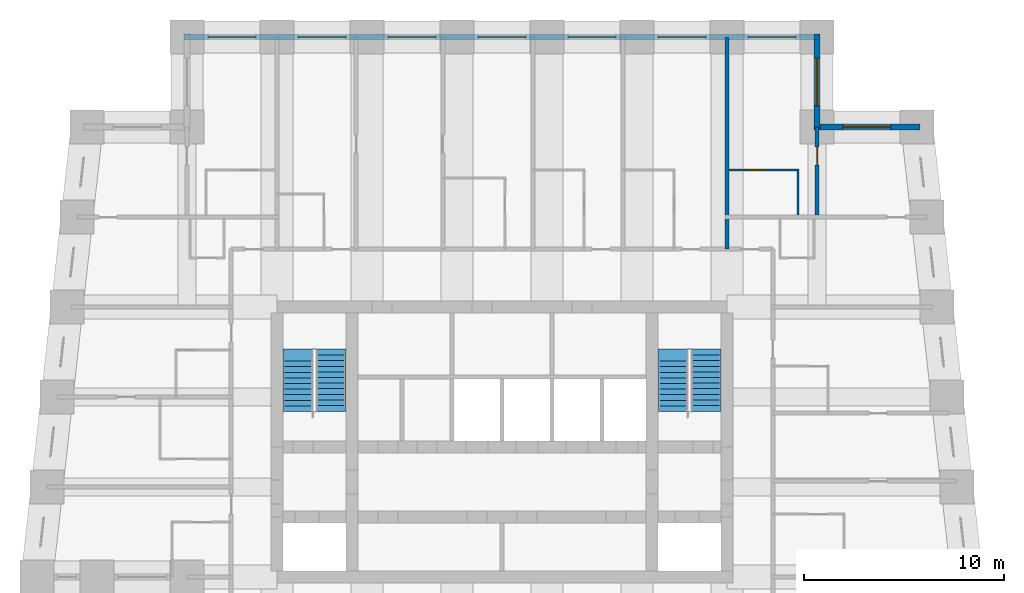
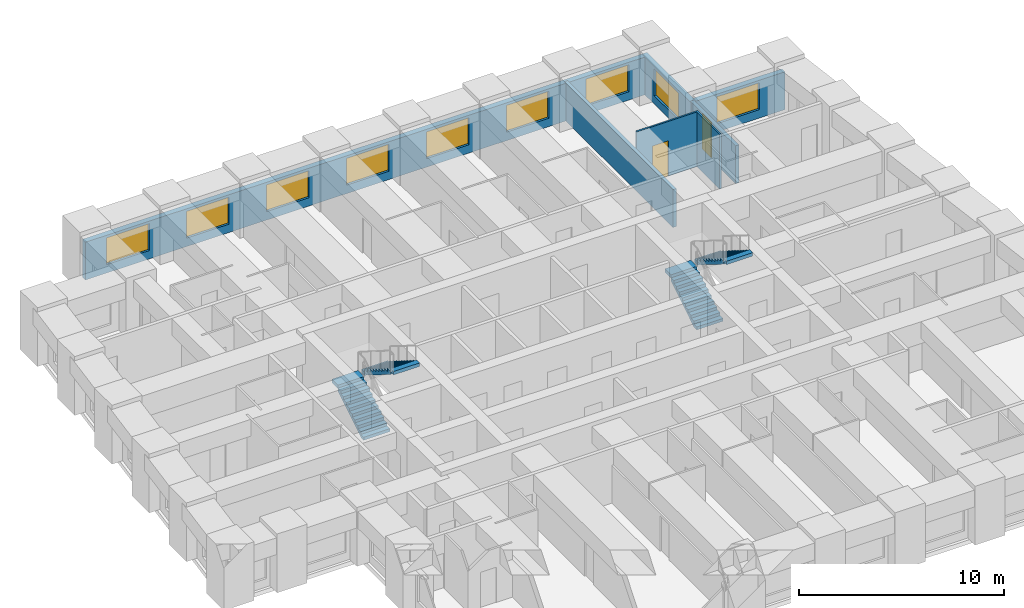
# One storey, part 7 of 8: 9 windows, 7 walls, 4 stair flights, 2 doors, 11 openings, 2 elements without a shape of their own.
"""IFC4 building model written with IfcOpenShell, lengths in metres."""

from ifc_helpers import new_model, si_unit, direction, frame, frame_2d, origin, place, context, subcontext, project, spatial, polyline, rectangle, outline, extrude, material, layer, layer_set, type_object, element, fill, aggregate, save


model = new_model("IFC4")

# Units and contexts
model_context = context("Model", 3, precision=1e-05, world=origin(), true_north=direction((0.0, 1.0)))
body_context = subcontext(model_context, "Body", "Model", "MODEL_VIEW")
ifc_project = project(units=[si_unit("LENGTHUNIT", "METRE"), si_unit("AREAUNIT", "SQUARE_METRE"), si_unit("VOLUMEUNIT", "CUBIC_METRE"), si_unit("PLANEANGLEUNIT", "RADIAN"), si_unit("MASSUNIT", "GRAM", prefix="KILO")], contexts=[model_context])

# Site, building, storey
site_placement = place(None, origin())
site = spatial("IfcSite", under=ifc_project, at=site_placement, CompositionType="ELEMENT")
building_placement = place(site_placement, origin())
building = spatial("IfcBuilding", under=site, at=building_placement, Name="Kilele Tower Hotel", CompositionType="ELEMENT")
storey_placement = place(building_placement, frame((0.0, 0.0, 172.89990234375)))
storey = spatial("IfcBuildingStorey", under=building, at=storey_placement, Name="L44", CompositionType="ELEMENT", Elevation=172.89990234375)

# Wall
ifc_material_1 = material(Name="Moisture-resistant board")
ifc_layer_1 = layer(ifc_material_1, 0.10009765625)
ifc_layer_set_1 = layer_set([ifc_layer_1], Name="Moisture-resistant board")
wall_type_1 = type_object("IfcWallType", Name="Bathroom partition 100", PredefinedType="PLUMBINGWALL", material=ifc_layer_set_1)
wall_1_placement = place(storey_placement, frame((39.550048828125, 31.60009765625, 0.0), z_axis=(0.0, 0.0, 1.0), x_axis=(0.0, 1.0, 0.0)))
element("IfcWall", 1, at=wall_1_placement, inside=storey, type_object=wall_type_1, Name="Bathroom partition 100 L44", PredefinedType="PLUMBINGWALL", context=body_context, shape_type="SweptSolid", body=[
    extrude(rectangle(XDim=2.2998046875, YDim=0.10009765625, at=frame_2d((1.14990234375, 0.0))), origin(), (0.0, 0.0, 1.0), 3.25),
])

# Wall, opening, door
wall_2_placement = place(storey_placement, frame((36.10009765625, 33.85009765625, 0.0), z_axis=(0.0, 0.0, 1.0), x_axis=(1.0, 0.0, 0.0)))
wall_2 = element("IfcWall", 2, at=wall_2_placement, inside=storey, type_object=wall_type_1, Name="Bathroom partition 100 L44", PredefinedType="PLUMBINGWALL", context=body_context, shape_type="SweptSolid", body=[
    extrude(rectangle(XDim=3.5, YDim=0.10009765625, at=frame_2d((1.75, 0.0))), origin(), (0.0, 0.0, 1.0), 3.25),
])
opening_1_placement = place(wall_2_placement, frame((0.89990234375, 0.0, 0.0)))
opening_1 = element("IfcOpeningElement", 3, at=opening_1_placement, cuts=wall_2, Name="Opening D2A", PredefinedType="OPENING", context=body_context, shape_type="SweptSolid", body=[
    extrude(rectangle(XDim=0.89990234375, YDim=2.10009765625, at=frame_2d((0.449951171875, 1.050048828125))), frame((0.0, 0.06005859375, 0.0), z_axis=(0.0, -1.0, 0.0), x_axis=(1.0, 0.0, 0.0)), (0.0, 0.0, 1.0), 0.1201171875),
])
ifc_material_2 = material(Name="Timber door leaf in hardwood frame", Category="wood")
door_type_1 = type_object("IfcDoorType", Name="Bathroom door 900", OperationType="SINGLE_SWING_LEFT", PredefinedType="DOOR", material=ifc_material_2)
door_1_placement = place(opening_1_placement, origin())
door_1 = element("IfcDoor", 4, at=door_1_placement, inside=storey, type_object=door_type_1, Name="Bathroom door 4423B", OperationType="SINGLE_SWING_LEFT", OverallHeight=2.10009765625, OverallWidth=0.89990234375, PredefinedType="DOOR", context=body_context, shape_type="SweptSolid", body=[
    extrude(rectangle(XDim=0.89990234375, YDim=2.10009765625, at=frame_2d((0.449951171875, 1.050048828125))), frame((0.0, 0.02490234375, 0.0), z_axis=(0.0, -1.0, 0.0), x_axis=(1.0, 0.0, 0.0)), (0.0, 0.0, 1.0), 0.050048828125),
])
fill(opening_1, door_1)

ifc_material_3 = material(Name="Blockwork, plastered both sides", Category="masonry")
ifc_layer_2 = layer(ifc_material_3, 0.199951171875)
ifc_layer_set_2 = layer_set([ifc_layer_2], Name="Blockwork, plastered both sides")
wall_type_2 = type_object("IfcWallType", Name="Partition wall 200", PredefinedType="PARTITIONING", material=ifc_layer_set_2)
wall_3_placement = place(storey_placement, frame((40.5, 31.60009765625, 0.0), z_axis=(0.0, 0.0, 1.0), x_axis=(0.0, 1.0, 0.0)))
wall_3 = element("IfcWall", 5, at=wall_3_placement, inside=storey, type_object=wall_type_2, Name="Partition wall 200 L44", PredefinedType="PARTITIONING", context=body_context, shape_type="SweptSolid", body=[
    extrude(rectangle(XDim=4.39990234375, YDim=0.199951171875, at=frame_2d((2.199951171875, 0.0))), origin(), (0.0, 0.0, 1.0), 2.25),
])
opening_2_placement = place(wall_3_placement, frame((2.5, 0.0, 0.0)))
opening_2 = element("IfcOpeningElement", 6, at=opening_2_placement, cuts=wall_3, Name="Opening D3", PredefinedType="OPENING", context=body_context, shape_type="SweptSolid", body=[
    extrude(rectangle(XDim=0.89990234375, YDim=2.10009765625, at=frame_2d((0.449951171875, 1.050048828125))), frame((0.0, 0.10986328125, 0.0), z_axis=(0.0, -1.0, 0.0), x_axis=(1.0, 0.0, 0.0)), (0.0, 0.0, 1.0), 0.219970703125),
])
ifc_material_4 = material(Name="Timber door leaf in hardwood frame", Category="wood")
door_type_2 = type_object("IfcDoorType", Name="Suite internal door 900", OperationType="SINGLE_SWING_LEFT", PredefinedType="DOOR", material=ifc_material_4)
door_2_placement = place(opening_2_placement, origin())
door_2 = element("IfcDoor", 7, at=door_2_placement, inside=storey, type_object=door_type_2, Name="Suite door 4424", OperationType="SINGLE_SWING_LEFT", OverallHeight=2.10009765625, OverallWidth=0.89990234375, PredefinedType="DOOR", context=body_context, shape_type="SweptSolid", body=[
    extrude(rectangle(XDim=0.89990234375, YDim=2.10009765625, at=frame_2d((0.449951171875, 1.050048828125))), frame((0.0, 0.02490234375, 0.0), z_axis=(0.0, -1.0, 0.0), x_axis=(1.0, 0.0, 0.0)), (0.0, 0.0, 1.0), 0.050048828125),
])
fill(opening_2, door_2)

# Wall
ifc_material_5 = material(Name="Blockwork, plastered both sides", Category="masonry")
ifc_layer_3 = layer(ifc_material_5, 0.199951171875)
ifc_layer_set_3 = layer_set([ifc_layer_3], Name="Blockwork, plastered both sides")
wall_type_3 = type_object("IfcWallType", Name="Party wall 200", PredefinedType="PARTITIONING", material=ifc_layer_set_3)
wall_4_placement = place(storey_placement, frame((36.0, 29.89990234375, 0.0), z_axis=(0.0, 0.0, 1.0), x_axis=(0.0, 1.0, 0.0)))
element("IfcWall", 8, at=wall_4_placement, inside=storey, type_object=wall_type_3, Name="Party wall 200 L44", PredefinedType="PARTITIONING", context=body_context, shape_type="SweptSolid", body=[
    extrude(rectangle(XDim=10.60009765625, YDim=0.199951171875, at=frame_2d((5.300048828125, 0.0))), origin(), (0.0, 0.0, 1.0), 2.25),
])

# Wall, opening, window
ifc_material_6 = material(Name="Concrete C40/50 precast", Category="concrete")
ifc_layer_4 = layer(ifc_material_6, 0.260009765625, Name="Precast backing", Category="LoadBearing")
ifc_material_7 = material(Name="Reconstituted stone finish", Category="masonry")
ifc_layer_5 = layer(ifc_material_7, 0.0400390625, Name="Face mix", Category="Finish")
ifc_layer_set_4 = layer_set([ifc_layer_4, ifc_layer_5], Name="Precast concrete C40/50, reconstituted stone finish")
wall_type_4 = type_object("IfcWallType", Name="Precast stone facade wall 300", PredefinedType="STANDARD", material=ifc_layer_set_4)
wall_5_placement = place(storey_placement, frame((45.64990234375, 36.0, 0.0), z_axis=(0.0, 0.0, 1.0), x_axis=(-1.0, 0.0, 0.0)))
wall_5 = element("IfcWall", 9, at=wall_5_placement, inside=storey, type_object=wall_type_4, Name="Facade wall L44 edge 7", PredefinedType="STANDARD", context=body_context, shape_type="SweptSolid", body=[
    extrude(rectangle(XDim=5.2998046875, YDim=0.300048828125, at=frame_2d((2.64990234375, 0.0))), origin(), (0.0, 0.0, 1.0), 2.25),
])
opening_3_placement = place(wall_5_placement, frame((1.449951171875, 0.0, 0.5)))
opening_3 = element("IfcOpeningElement", 10, at=opening_3_placement, cuts=wall_5, Name="Opening W3", PredefinedType="OPENING", context=body_context, shape_type="SweptSolid", body=[
    extrude(rectangle(XDim=2.39990234375, YDim=1.60009765625, at=frame_2d((1.199951171875, 0.800048828125))), frame((0.0, 0.159912109375, 0.0), z_axis=(0.0, -1.0, 0.0), x_axis=(1.0, 0.0, 0.0)), (0.0, 0.0, 1.0), 0.320068359375),
])
ifc_material_8 = material(Name="Aluminium frame, clear double glazing", Category="aluminium")
window_type = type_object("IfcWindowType", Name="Window W3 2400 x 1600", PartitioningType="SINGLE_PANEL", PredefinedType="WINDOW", material=ifc_material_8)
window_1_placement = place(opening_3_placement, origin())
window_1 = element("IfcWindow", 11, at=window_1_placement, inside=storey, type_object=window_type, Name="Window L44", OverallHeight=1.60009765625, OverallWidth=2.39990234375, PartitioningType="SINGLE_PANEL", PredefinedType="WINDOW", context=body_context, shape_type="SweptSolid", body=[
    extrude(rectangle(XDim=2.39990234375, YDim=1.60009765625, at=frame_2d((1.199951171875, 0.800048828125))), frame((0.0, 0.030029296875, 0.0), z_axis=(0.0, -1.0, 0.0), x_axis=(1.0, 0.0, 0.0)), (0.0, 0.0, 1.0), 0.06005859375),
])
fill(opening_3, window_1)

wall_6_placement = place(storey_placement, frame((40.5, 35.85009765625, 0.0), z_axis=(0.0, 0.0, 1.0), x_axis=(0.0, 1.0, 0.0)))
wall_6 = element("IfcWall", 12, at=wall_6_placement, inside=storey, type_object=wall_type_4, Name="Facade wall L44 edge 8", PredefinedType="STANDARD", context=body_context, shape_type="SweptSolid", body=[
    extrude(rectangle(XDim=4.7998046875, YDim=0.300048828125, at=frame_2d((2.39990234375, 0.0))), origin(), (0.0, 0.0, 1.0), 2.25),
])
opening_4_placement = place(wall_6_placement, frame((1.199951171875, 0.0, 0.5)))
opening_4 = element("IfcOpeningElement", 13, at=opening_4_placement, cuts=wall_6, Name="Opening W3", PredefinedType="OPENING", context=body_context, shape_type="SweptSolid", body=[
    extrude(rectangle(XDim=2.39990234375, YDim=1.60009765625, at=frame_2d((1.199951171875, 0.800048828125))), frame((0.0, 0.159912109375, 0.0), z_axis=(0.0, -1.0, 0.0), x_axis=(1.0, 0.0, 0.0)), (0.0, 0.0, 1.0), 0.320068359375),
])
window_2_placement = place(opening_4_placement, origin())
window_2 = element("IfcWindow", 14, at=window_2_placement, inside=storey, type_object=window_type, Name="Window L44", OverallHeight=1.60009765625, OverallWidth=2.39990234375, PartitioningType="SINGLE_PANEL", PredefinedType="WINDOW", context=body_context, shape_type="SweptSolid", body=[
    extrude(rectangle(XDim=2.39990234375, YDim=1.60009765625, at=frame_2d((1.199951171875, 0.800048828125))), frame((0.0, 0.030029296875, 0.0), z_axis=(0.0, -1.0, 0.0), x_axis=(1.0, 0.0, 0.0)), (0.0, 0.0, 1.0), 0.06005859375),
])
fill(opening_4, window_2)

# Wall, openings, windows
wall_7_placement = place(storey_placement, frame((40.64990234375, 40.5, 0.0), z_axis=(0.0, 0.0, 1.0), x_axis=(-1.0, 0.0, 0.0)))
wall_7 = element("IfcWall", 15, at=wall_7_placement, inside=storey, type_object=wall_type_4, Name="Facade wall L44 edge 9", PredefinedType="STANDARD", context=body_context, shape_type="SweptSolid", body=[
    extrude(rectangle(XDim=31.7998046875, YDim=0.300048828125, at=frame_2d((15.89990234375, 0.0))), origin(), (0.0, 0.0, 1.0), 2.25),
])
opening_5_placement = place(wall_7_placement, frame((1.199951171875, 0.0, 0.5)))
opening_5 = element("IfcOpeningElement", 16, at=opening_5_placement, cuts=wall_7, Name="Opening W3", PredefinedType="OPENING", context=body_context, shape_type="SweptSolid", body=[
    extrude(rectangle(XDim=2.39990234375, YDim=1.60009765625, at=frame_2d((1.199951171875, 0.800048828125))), frame((0.0, 0.159912109375, 0.0), z_axis=(0.0, -1.0, 0.0), x_axis=(1.0, 0.0, 0.0)), (0.0, 0.0, 1.0), 0.320068359375),
])
opening_6_placement = place(wall_7_placement, frame((5.699951171875, 0.0, 0.5)))
opening_6 = element("IfcOpeningElement", 17, at=opening_6_placement, cuts=wall_7, Name="Opening W3", PredefinedType="OPENING", context=body_context, shape_type="SweptSolid", body=[
    extrude(rectangle(XDim=2.39990234375, YDim=1.60009765625, at=frame_2d((1.199951171875, 0.800048828125))), frame((0.0, 0.159912109375, 0.0), z_axis=(0.0, -1.0, 0.0), x_axis=(1.0, 0.0, 0.0)), (0.0, 0.0, 1.0), 0.320068359375),
])
opening_7_placement = place(wall_7_placement, frame((10.199951171875, 0.0, 0.5)))
opening_7 = element("IfcOpeningElement", 18, at=opening_7_placement, cuts=wall_7, Name="Opening W3", PredefinedType="OPENING", context=body_context, shape_type="SweptSolid", body=[
    extrude(rectangle(XDim=2.39990234375, YDim=1.60009765625, at=frame_2d((1.199951171875, 0.800048828125))), frame((0.0, 0.159912109375, 0.0), z_axis=(0.0, -1.0, 0.0), x_axis=(1.0, 0.0, 0.0)), (0.0, 0.0, 1.0), 0.320068359375),
])
opening_8_placement = place(wall_7_placement, frame((14.699951171875, 0.0, 0.5)))
opening_8 = element("IfcOpeningElement", 19, at=opening_8_placement, cuts=wall_7, Name="Opening W3", PredefinedType="OPENING", context=body_context, shape_type="SweptSolid", body=[
    extrude(rectangle(XDim=2.39990234375, YDim=1.60009765625, at=frame_2d((1.199951171875, 0.800048828125))), frame((0.0, 0.159912109375, 0.0), z_axis=(0.0, -1.0, 0.0), x_axis=(1.0, 0.0, 0.0)), (0.0, 0.0, 1.0), 0.320068359375),
])
opening_9_placement = place(wall_7_placement, frame((19.199951171875, 0.0, 0.5)))
opening_9 = element("IfcOpeningElement", 20, at=opening_9_placement, cuts=wall_7, Name="Opening W3", PredefinedType="OPENING", context=body_context, shape_type="SweptSolid", body=[
    extrude(rectangle(XDim=2.39990234375, YDim=1.60009765625, at=frame_2d((1.199951171875, 0.800048828125))), frame((0.0, 0.159912109375, 0.0), z_axis=(0.0, -1.0, 0.0), x_axis=(1.0, 0.0, 0.0)), (0.0, 0.0, 1.0), 0.320068359375),
])
opening_10_placement = place(wall_7_placement, frame((23.699951171875, 0.0, 0.5)))
opening_10 = element("IfcOpeningElement", 21, at=opening_10_placement, cuts=wall_7, Name="Opening W3", PredefinedType="OPENING", context=body_context, shape_type="SweptSolid", body=[
    extrude(rectangle(XDim=2.39990234375, YDim=1.60009765625, at=frame_2d((1.199951171875, 0.800048828125))), frame((0.0, 0.159912109375, 0.0), z_axis=(0.0, -1.0, 0.0), x_axis=(1.0, 0.0, 0.0)), (0.0, 0.0, 1.0), 0.320068359375),
])
opening_11_placement = place(wall_7_placement, frame((28.199951171875, 0.0, 0.5)))
opening_11 = element("IfcOpeningElement", 22, at=opening_11_placement, cuts=wall_7, Name="Opening W3", PredefinedType="OPENING", context=body_context, shape_type="SweptSolid", body=[
    extrude(rectangle(XDim=2.39990234375, YDim=1.60009765625, at=frame_2d((1.199951171875, 0.800048828125))), frame((0.0, 0.159912109375, 0.0), z_axis=(0.0, -1.0, 0.0), x_axis=(1.0, 0.0, 0.0)), (0.0, 0.0, 1.0), 0.320068359375),
])
window_3_placement = place(opening_5_placement, origin())
window_3 = element("IfcWindow", 23, at=window_3_placement, inside=storey, type_object=window_type, Name="Window L44", OverallHeight=1.60009765625, OverallWidth=2.39990234375, PartitioningType="SINGLE_PANEL", PredefinedType="WINDOW", context=body_context, shape_type="SweptSolid", body=[
    extrude(rectangle(XDim=2.39990234375, YDim=1.60009765625, at=frame_2d((1.199951171875, 0.800048828125))), frame((0.0, 0.030029296875, 0.0), z_axis=(0.0, -1.0, 0.0), x_axis=(1.0, 0.0, 0.0)), (0.0, 0.0, 1.0), 0.06005859375),
])
fill(opening_5, window_3)
window_4_placement = place(opening_6_placement, origin())
window_4 = element("IfcWindow", 24, at=window_4_placement, inside=storey, type_object=window_type, Name="Window L44", OverallHeight=1.60009765625, OverallWidth=2.39990234375, PartitioningType="SINGLE_PANEL", PredefinedType="WINDOW", context=body_context, shape_type="SweptSolid", body=[
    extrude(rectangle(XDim=2.39990234375, YDim=1.60009765625, at=frame_2d((1.199951171875, 0.800048828125))), frame((0.0, 0.030029296875, 0.0), z_axis=(0.0, -1.0, 0.0), x_axis=(1.0, 0.0, 0.0)), (0.0, 0.0, 1.0), 0.06005859375),
])
fill(opening_6, window_4)
window_5_placement = place(opening_7_placement, origin())
window_5 = element("IfcWindow", 25, at=window_5_placement, inside=storey, type_object=window_type, Name="Window L44", OverallHeight=1.60009765625, OverallWidth=2.39990234375, PartitioningType="SINGLE_PANEL", PredefinedType="WINDOW", context=body_context, shape_type="SweptSolid", body=[
    extrude(rectangle(XDim=2.39990234375, YDim=1.60009765625, at=frame_2d((1.199951171875, 0.800048828125))), frame((0.0, 0.030029296875, 0.0), z_axis=(0.0, -1.0, 0.0), x_axis=(1.0, 0.0, 0.0)), (0.0, 0.0, 1.0), 0.06005859375),
])
fill(opening_7, window_5)
window_6_placement = place(opening_8_placement, origin())
window_6 = element("IfcWindow", 26, at=window_6_placement, inside=storey, type_object=window_type, Name="Window L44", OverallHeight=1.60009765625, OverallWidth=2.39990234375, PartitioningType="SINGLE_PANEL", PredefinedType="WINDOW", context=body_context, shape_type="SweptSolid", body=[
    extrude(rectangle(XDim=2.39990234375, YDim=1.60009765625, at=frame_2d((1.199951171875, 0.800048828125))), frame((0.0, 0.030029296875, 0.0), z_axis=(0.0, -1.0, 0.0), x_axis=(1.0, 0.0, 0.0)), (0.0, 0.0, 1.0), 0.06005859375),
])
fill(opening_8, window_6)
window_7_placement = place(opening_9_placement, origin())
window_7 = element("IfcWindow", 27, at=window_7_placement, inside=storey, type_object=window_type, Name="Window L44", OverallHeight=1.60009765625, OverallWidth=2.39990234375, PartitioningType="SINGLE_PANEL", PredefinedType="WINDOW", context=body_context, shape_type="SweptSolid", body=[
    extrude(rectangle(XDim=2.39990234375, YDim=1.60009765625, at=frame_2d((1.199951171875, 0.800048828125))), frame((0.0, 0.030029296875, 0.0), z_axis=(0.0, -1.0, 0.0), x_axis=(1.0, 0.0, 0.0)), (0.0, 0.0, 1.0), 0.06005859375),
])
fill(opening_9, window_7)
window_8_placement = place(opening_10_placement, origin())
window_8 = element("IfcWindow", 28, at=window_8_placement, inside=storey, type_object=window_type, Name="Window L44", OverallHeight=1.60009765625, OverallWidth=2.39990234375, PartitioningType="SINGLE_PANEL", PredefinedType="WINDOW", context=body_context, shape_type="SweptSolid", body=[
    extrude(rectangle(XDim=2.39990234375, YDim=1.60009765625, at=frame_2d((1.199951171875, 0.800048828125))), frame((0.0, 0.030029296875, 0.0), z_axis=(0.0, -1.0, 0.0), x_axis=(1.0, 0.0, 0.0)), (0.0, 0.0, 1.0), 0.06005859375),
])
fill(opening_10, window_8)
window_9_placement = place(opening_11_placement, origin())
window_9 = element("IfcWindow", 29, at=window_9_placement, inside=storey, type_object=window_type, Name="Window L44", OverallHeight=1.60009765625, OverallWidth=2.39990234375, PartitioningType="SINGLE_PANEL", PredefinedType="WINDOW", context=body_context, shape_type="SweptSolid", body=[
    extrude(rectangle(XDim=2.39990234375, YDim=1.60009765625, at=frame_2d((1.199951171875, 0.800048828125))), frame((0.0, 0.030029296875, 0.0), z_axis=(0.0, -1.0, 0.0), x_axis=(1.0, 0.0, 0.0)), (0.0, 0.0, 1.0), 0.06005859375),
])
fill(opening_11, window_9)

# Stair, stair flights
ifc_material_9 = material(Name="Precast concrete C40/50", Category="concrete")
stair_type = type_object("IfcStairType", Name="Stair 1475 x 3500", PredefinedType="HALF_TURN_STAIR", material=ifc_material_9)
stair_1_placement = place(storey_placement, origin())
stair_1 = element("IfcStair", 30, at=stair_1_placement, inside=storey, type_object=stair_type, Name="Stair 1 L44", PredefinedType="HALF_TURN_STAIR")
ifc_material_10 = material(Name="Precast concrete C40/50", Category="concrete")
stair_flight_type = type_object("IfcStairFlightType", Name="Flight 1475 riser 175.0", PredefinedType="STRAIGHT", material=ifc_material_10)
stair_flight_1_placement = place(storey_placement, frame((14.53759765625, 21.77490234375, 0.0), z_axis=(0.0, 0.0, 1.0), x_axis=(0.0, 1.0, 0.0)))
stair_flight_1 = element("IfcStairFlight", 31, at=stair_flight_1_placement, type_object=stair_flight_type, Name="ST1 flight 1", NumberOfRisers=10, NumberOfTreads=9, PredefinedType="STRAIGHT", RiserHeight=0.175, TreadLength=0.28, context=body_context, shape_type="SweptSolid", body=[
    extrude(outline(polyline([(0.0, 0.0), (0.0, 0.175048828125), (0.280029296875, 0.175048828125), (0.280029296875, 0.35009765625), (0.56005859375, 0.35009765625), (0.56005859375, 0.52490234375), (0.840087890625, 0.52490234375), (0.840087890625, 0.699951171875), (1.1201171875, 0.699951171875), (1.1201171875, 0.875), (1.39990234375, 0.875), (1.39990234375, 1.050048828125), (1.679931640625, 1.050048828125), (1.679931640625, 1.22509765625), (1.9599609375, 1.22509765625), (1.9599609375, 1.39990234375), (2.239990234375, 1.39990234375), (2.239990234375, 1.574951171875), (2.52001953125, 1.574951171875), (2.52001953125, 1.75), (2.52001953125, 1.398193359375), (0.28271484375, 0.0), (0.0, 0.0)])), frame((0.0, 0.737548828125, 0.0), z_axis=(0.0, -1.0, 0.0), x_axis=(1.0, 0.0, 0.0)), (0.0, 0.0, 1.0), 1.47509765625),
    extrude(outline(polyline([(2.52001953125, 0.737548828125), (2.52001953125, -0.7373046875), (3.1201171875, -0.7373046875), (3.1201171875, 0.737548828125), (2.52001953125, 0.737548828125)])), frame((0.0, 0.0, 1.550048828125)), (0.0, 0.0, 1.0), 0.199951171875),
])
stair_flight_2_placement = place(storey_placement, frame((16.21240234375, 24.594970703125, 1.75), z_axis=(0.0, 0.0, 1.0), x_axis=(0.0, -1.0, 0.0)))
stair_flight_2 = element("IfcStairFlight", 32, at=stair_flight_2_placement, type_object=stair_flight_type, Name="ST1 flight 2", NumberOfRisers=10, NumberOfTreads=9, PredefinedType="STRAIGHT", RiserHeight=0.175, TreadLength=0.28, context=body_context, shape_type="SweptSolid", body=[
    extrude(outline(polyline([(0.0, 0.0), (0.0, 0.175048828125), (0.280029296875, 0.175048828125), (0.280029296875, 0.35009765625), (0.56005859375, 0.35009765625), (0.56005859375, 0.52490234375), (0.840087890625, 0.52490234375), (0.840087890625, 0.699951171875), (1.1201171875, 0.699951171875), (1.1201171875, 0.875), (1.39990234375, 0.875), (1.39990234375, 1.050048828125), (1.679931640625, 1.050048828125), (1.679931640625, 1.22509765625), (1.9599609375, 1.22509765625), (1.9599609375, 1.39990234375), (2.239990234375, 1.39990234375), (2.239990234375, 1.574951171875), (2.52001953125, 1.574951171875), (2.52001953125, 1.75), (2.52001953125, 1.398193359375), (0.28271484375, 0.0), (0.0, 0.0)])), frame((0.0, 0.737548828125, 0.0), z_axis=(0.0, -1.0, 0.0), x_axis=(1.0, 0.0, 0.0)), (0.0, 0.0, 1.0), 1.47509765625),
    extrude(outline(polyline([(0.0, -0.7373046875), (0.0, 0.737548828125), (-0.300048828125, 0.737548828125), (-0.300048828125, -0.7373046875), (0.0, -0.7373046875)])), frame((0.0, 0.0, -0.199951171875)), (0.0, 0.0, 1.0), 0.199951171875),
    extrude(outline(polyline([(2.820068359375, -0.7373046875), (2.820068359375, 0.737548828125), (2.52001953125, 0.737548828125), (2.52001953125, -0.7373046875), (2.820068359375, -0.7373046875)])), frame((0.0, 0.0, 1.550048828125)), (0.0, 0.0, 1.0), 0.199951171875),
])
aggregate(stair_1, [stair_flight_1, stair_flight_2])

stair_2_placement = place(storey_placement, origin())
stair_2 = element("IfcStair", 33, at=stair_2_placement, inside=storey, type_object=stair_type, Name="Stair 2 L44", PredefinedType="HALF_TURN_STAIR")
stair_flight_3_placement = place(storey_placement, frame((33.28759765625, 21.77490234375, 0.0), z_axis=(0.0, 0.0, 1.0), x_axis=(0.0, 1.0, 0.0)))
stair_flight_3 = element("IfcStairFlight", 34, at=stair_flight_3_placement, type_object=stair_flight_type, Name="ST2 flight 1", NumberOfRisers=10, NumberOfTreads=9, PredefinedType="STRAIGHT", RiserHeight=0.175, TreadLength=0.28, context=body_context, shape_type="SweptSolid", body=[
    extrude(outline(polyline([(0.0, 0.0), (0.0, 0.175048828125), (0.280029296875, 0.175048828125), (0.280029296875, 0.35009765625), (0.56005859375, 0.35009765625), (0.56005859375, 0.52490234375), (0.840087890625, 0.52490234375), (0.840087890625, 0.699951171875), (1.1201171875, 0.699951171875), (1.1201171875, 0.875), (1.39990234375, 0.875), (1.39990234375, 1.050048828125), (1.679931640625, 1.050048828125), (1.679931640625, 1.22509765625), (1.9599609375, 1.22509765625), (1.9599609375, 1.39990234375), (2.239990234375, 1.39990234375), (2.239990234375, 1.574951171875), (2.52001953125, 1.574951171875), (2.52001953125, 1.75), (2.52001953125, 1.398193359375), (0.28271484375, 0.0), (0.0, 0.0)])), frame((0.0, 0.737548828125, 0.0), z_axis=(0.0, -1.0, 0.0), x_axis=(1.0, 0.0, 0.0)), (0.0, 0.0, 1.0), 1.47509765625),
    extrude(outline(polyline([(2.52001953125, 0.737548828125), (2.52001953125, -0.7373046875), (3.1201171875, -0.7373046875), (3.1201171875, 0.737548828125), (2.52001953125, 0.737548828125)])), frame((0.0, 0.0, 1.550048828125)), (0.0, 0.0, 1.0), 0.199951171875),
])
stair_flight_4_placement = place(storey_placement, frame((34.96240234375, 24.594970703125, 1.75), z_axis=(0.0, 0.0, 1.0), x_axis=(0.0, -1.0, 0.0)))
stair_flight_4 = element("IfcStairFlight", 35, at=stair_flight_4_placement, type_object=stair_flight_type, Name="ST2 flight 2", NumberOfRisers=10, NumberOfTreads=9, PredefinedType="STRAIGHT", RiserHeight=0.175, TreadLength=0.28, context=body_context, shape_type="SweptSolid", body=[
    extrude(outline(polyline([(0.0, 0.0), (0.0, 0.175048828125), (0.280029296875, 0.175048828125), (0.280029296875, 0.35009765625), (0.56005859375, 0.35009765625), (0.56005859375, 0.52490234375), (0.840087890625, 0.52490234375), (0.840087890625, 0.699951171875), (1.1201171875, 0.699951171875), (1.1201171875, 0.875), (1.39990234375, 0.875), (1.39990234375, 1.050048828125), (1.679931640625, 1.050048828125), (1.679931640625, 1.22509765625), (1.9599609375, 1.22509765625), (1.9599609375, 1.39990234375), (2.239990234375, 1.39990234375), (2.239990234375, 1.574951171875), (2.52001953125, 1.574951171875), (2.52001953125, 1.75), (2.52001953125, 1.398193359375), (0.28271484375, 0.0), (0.0, 0.0)])), frame((0.0, 0.737548828125, 0.0), z_axis=(0.0, -1.0, 0.0), x_axis=(1.0, 0.0, 0.0)), (0.0, 0.0, 1.0), 1.47509765625),
    extrude(outline(polyline([(0.0, -0.7373046875), (0.0, 0.737548828125), (-0.300048828125, 0.737548828125), (-0.300048828125, -0.7373046875), (0.0, -0.7373046875)])), frame((0.0, 0.0, -0.199951171875)), (0.0, 0.0, 1.0), 0.199951171875),
    extrude(outline(polyline([(2.820068359375, -0.7373046875), (2.820068359375, 0.737548828125), (2.52001953125, 0.737548828125), (2.52001953125, -0.7373046875), (2.820068359375, -0.7373046875)])), frame((0.0, 0.0, 1.550048828125)), (0.0, 0.0, 1.0), 0.199951171875),
])
aggregate(stair_2, [stair_flight_3, stair_flight_4])

save(model, "model.ifc")
